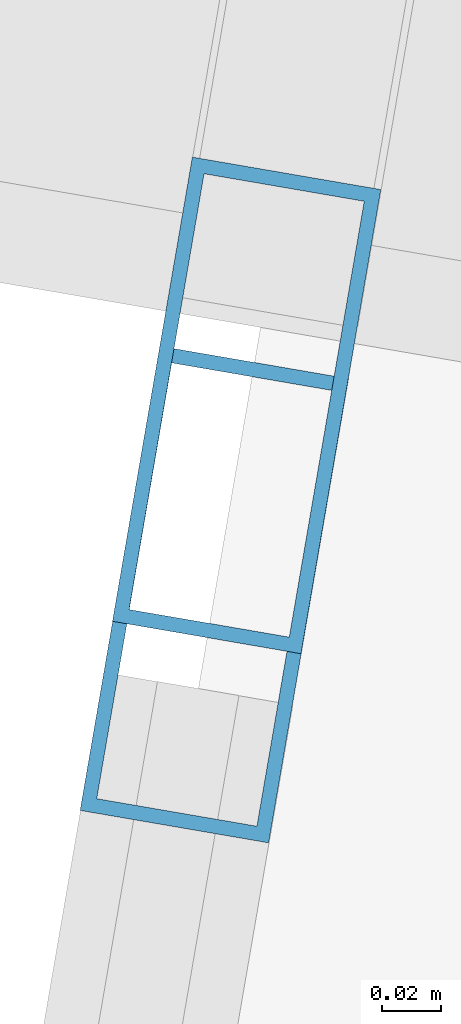
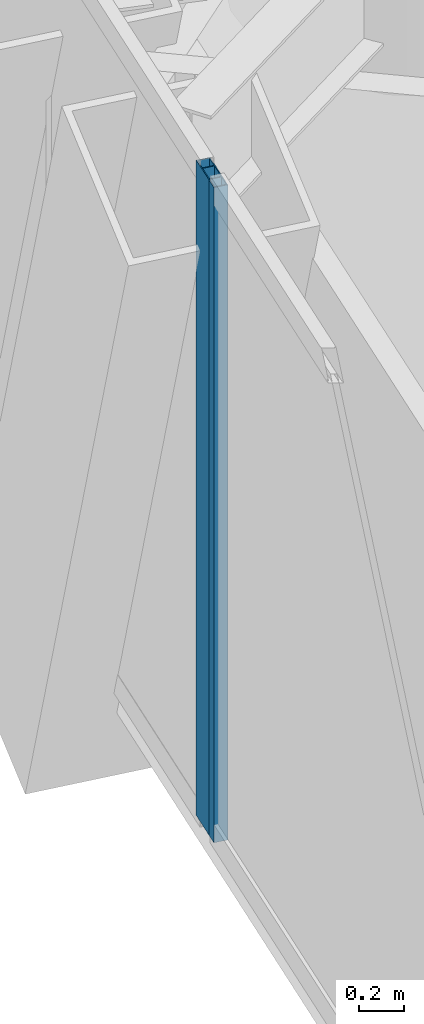
# One storey, part 4 of 21: 2 members, 2 elements without a shape of their own.
"""IFC4 building model written with IfcOpenShell, lengths in metres."""

import ifcopenshell
import ifcopenshell.guid

model = None  # the IFC model being written
_history = None  # IfcOwnerHistory: only IFC2X3 demands one
_inside = {}  # id of a spatial element -> (the spatial element, [elements in it])
_under = {}  # id of a project, library or spatial element -> (it, [spatial elements below it])
_declared = {}  # id of a project -> (the project, [libraries it declares])
_typed = {}  # id of a type object -> (the type object, [elements of that type])
_made_of = {}  # id of a material, layer set ... -> (it, [elements and type objects made of it])


def new_model(schema):
    """Start an empty IFC model of exactly this schema.

    Asked for "IFC4X3", IfcOpenShell would pick the latest addendum, in which some entities
    have other attributes; the version numbers below select the first issue.
    IFC2X3 requires an IfcOwnerHistory on every rooted entity: one is made here for all.
    """
    global model, _history
    if schema == "IFC4X3":
        model = ifcopenshell.file(schema_version=(4, 3, 0, 0))
    else:
        model = ifcopenshell.file(schema=schema)
    _inside.clear()
    _under.clear()
    _declared.clear()
    _typed.clear()
    _made_of.clear()
    _history = None
    if model.schema == "IFC2X3":
        org = make("IfcOrganization", Name="unknown")
        user = make(
            "IfcPersonAndOrganization",
            ThePerson=make("IfcPerson", FamilyName="unknown"),
            TheOrganization=org,
        )
        app = make(
            "IfcApplication",
            ApplicationDeveloper=org,
            Version="unknown",
            ApplicationFullName="unknown",
            ApplicationIdentifier="unknown",
        )
        _history = make(
            "IfcOwnerHistory",
            OwningUser=user,
            OwningApplication=app,
            ChangeAction="ADDED",
            CreationDate=0,
        )
    return model


def make(cls, **values):
    """One entity of the class cls with the attributes given. An attribute that is None is left unset."""
    return model.create_entity(
        cls, **{name: value for name, value in values.items() if value is not None}
    )


def rooted(cls, **values):
    """An entity with a GlobalId (a new one), such as an element, a storey or a relation."""
    return make(cls, GlobalId=ifcopenshell.guid.new(), OwnerHistory=_history, **values)


def si_unit(unit_type, name, prefix=None):
    """IfcSIUnit, for example si_unit("LENGTHUNIT", "METRE", prefix="MILLI")."""
    return make("IfcSIUnit", UnitType=unit_type, Prefix=prefix, Name=name)


def assignment(units):
    """IfcUnitAssignment: the units of a project."""
    return None if units is None else make("IfcUnitAssignment", Units=units)


def point(xyz):
    """IfcCartesianPoint."""
    return None if xyz is None else make("IfcCartesianPoint", Coordinates=xyz)


def direction(xyz):
    """IfcDirection."""
    return None if xyz is None else make("IfcDirection", DirectionRatios=xyz)


def frame(location, z_axis=None, x_axis=None):
    """IfcAxis2Placement3D, a coordinate frame: its origin and axes. An axis left out is left unset."""
    return make(
        "IfcAxis2Placement3D",
        Location=point(location),
        Axis=direction(z_axis),
        RefDirection=direction(x_axis),
    )


def frame_2d(location, x_axis=None):
    """IfcAxis2Placement2D, a coordinate frame in the plane: its origin and x axis."""
    return make(
        "IfcAxis2Placement2D", Location=point(location), RefDirection=direction(x_axis)
    )


def origin():
    """The frame at (0, 0, 0) with its axes left unset."""
    return frame((0.0, 0.0, 0.0))


def origin_2d():
    """The frame at (0, 0) in the plane with its x axis left unset."""
    return frame_2d((0.0, 0.0))


def place(relative_to, where):
    """IfcLocalPlacement: puts the frame where relative to a parent placement (None: the world)."""
    return make(
        "IfcLocalPlacement", PlacementRelTo=relative_to, RelativePlacement=where
    )


def context(
    kind, dimensions, precision=None, world=None, true_north=None, identifier=None
):
    """IfcGeometricRepresentationContext, for example the 3D "Model" context."""
    return make(
        "IfcGeometricRepresentationContext",
        ContextIdentifier=identifier,
        ContextType=kind,
        CoordinateSpaceDimension=dimensions,
        Precision=precision,
        WorldCoordinateSystem=world,
        TrueNorth=true_north,
    )


def subcontext(parent, identifier, kind, view, scale=None):
    """IfcGeometricRepresentationSubContext, for example "Body" below "Model"."""
    return make(
        "IfcGeometricRepresentationSubContext",
        ContextIdentifier=identifier,
        ContextType=kind,
        ParentContext=parent,
        TargetScale=scale,
        TargetView=view,
    )


def project(units=None, contexts=None):
    """IfcProject with its units and contexts."""
    return rooted(
        "IfcProject",
        Name="project",
        RepresentationContexts=contexts,
        UnitsInContext=assignment(units),
    )


def spatial(cls, under=None, at=None, **own):
    """A site, building, storey or space (cls), placed at a placement, below another one or the project."""
    s = rooted(cls, ObjectPlacement=at, **own)
    if under is not None:
        _under.setdefault(under.id(), (under, []))[1].append(s)
    return s


def profile(cls, at=None, kind="AREA", **sizes):
    """A parametric profile (cls). Its sizes go by their IFC names, for example OverallWidth=200.0."""
    return make(cls, ProfileType=kind, Position=at, **sizes)


def hollow_rectangle(**sizes):
    """IfcRectangleHollowProfileDef."""
    return profile("IfcRectangleHollowProfileDef", **sizes)


def extrude(swept, where, along, depth):
    """IfcExtrudedAreaSolid: the profile swept, set in the frame where, extruded along a direction by depth."""
    return make(
        "IfcExtrudedAreaSolid",
        SweptArea=swept,
        Position=where,
        ExtrudedDirection=direction(along),
        Depth=depth,
    )


def shape(context_of_items, identifier, shape_type, items):
    """IfcShapeRepresentation: the items that make up one representation, for example the "Body"."""
    return make(
        "IfcShapeRepresentation",
        ContextOfItems=context_of_items,
        RepresentationIdentifier=identifier,
        RepresentationType=shape_type,
        Items=items,
    )


def material(Name=None, Category=None):
    """IfcMaterial."""
    return make("IfcMaterial", Name=Name, Category=Category)


def layer(
    of_material, thickness, ventilated=None, Name=None, Category=None, Priority=None
):
    """IfcMaterialLayer: one layer of a wall or slab, of a material (None: an air gap)."""
    return make(
        "IfcMaterialLayer",
        Material=of_material,
        LayerThickness=thickness,
        IsVentilated=ventilated,
        Name=Name,
        Category=Category,
        Priority=Priority,
    )


def layer_set(layers, Name=None):
    """IfcMaterialLayerSet."""
    return make("IfcMaterialLayerSet", MaterialLayers=layers, LayerSetName=Name)


def material_profile(
    of_material, cross_section, Name=None, Category=None, Priority=None
):
    """IfcMaterialProfile: a cross section and its material."""
    return make(
        "IfcMaterialProfile",
        Name=Name,
        Material=of_material,
        Profile=cross_section,
        Priority=Priority,
        Category=Category,
    )


def profile_set(profiles, Name=None, composite=None):
    """IfcMaterialProfileSet."""
    return make(
        "IfcMaterialProfileSet",
        Name=Name,
        MaterialProfiles=profiles,
        CompositeProfile=composite,
    )


def made_of(thing, what):
    """Note that an element or type object is made of a material, layer set ...; save() writes the relation."""
    if what is not None:
        _made_of.setdefault(what.id(), (what, []))[1].append(thing)
    return thing


def type_object(cls, material=None, **own):
    """A type object (cls), such as IfcWallType, which elements share."""
    return made_of(rooted(cls, **own), material)


def element(
    cls,
    number,
    at=None,
    inside=None,
    cuts=None,
    type_object=None,
    material=None,
    context=None,
    identifier="Body",
    shape_type=None,
    held_by="IfcProductDefinitionShape",
    body=None,
    shapes=None,
    **own,
):
    """One element of the class cls, such as IfcWall. Its Tag is "e" and its number.

    at: its placement. inside: the storey or other place that contains it. cuts: it is an
    opening in that element (IfcRelVoidsElement). A single representation is given by context,
    identifier, shape_type and body (its items); several are given by shapes. held_by: the class
    of the entity that holds the representations. save() writes the other relations.
    """
    e = rooted(cls, Tag="e%d" % number, ObjectPlacement=at, **own)
    if body is not None:
        shapes = [shape(context, identifier, shape_type, body)]
    if shapes is not None:
        e.Representation = make(held_by, Representations=shapes)
    if inside is not None:
        _inside.setdefault(inside.id(), (inside, []))[1].append(e)
    if cuts is not None:
        rooted(
            "IfcRelVoidsElement", RelatingBuildingElement=cuts, RelatedOpeningElement=e
        )
    if type_object is not None:
        _typed.setdefault(type_object.id(), (type_object, []))[1].append(e)
    return made_of(e, material)


def aggregate(whole, parts):
    """IfcRelAggregates: a whole, such as a stair, and the parts it consists of."""
    return rooted("IfcRelAggregates", RelatingObject=whole, RelatedObjects=parts)


def save(model, path):
    """Write the relations noted so far, then the file.

    IfcRelAggregates (storeys below a building ...), IfcRelContainedInSpatialStructure (elements
    in a storey), IfcRelDefinesByType, IfcRelAssociatesMaterial and IfcRelDeclares: one each for
    every whole, place, type object, material and project.
    """
    for whole, parts in _under.values():
        aggregate(whole, parts)
    for where, things in _inside.values():
        rooted(
            "IfcRelContainedInSpatialStructure",
            RelatedElements=things,
            RelatingStructure=where,
        )
    for kind, things in _typed.values():
        rooted("IfcRelDefinesByType", RelatedObjects=things, RelatingType=kind)
    for what, things in _made_of.values():
        rooted("IfcRelAssociatesMaterial", RelatedObjects=things, RelatingMaterial=what)
    for by, libraries in _declared.values():
        rooted("IfcRelDeclares", RelatingContext=by, RelatedDefinitions=libraries)
    model.write(path)


model = new_model("IFC4")

# Units and contexts
model_context = context("Model", 3, precision=1e-05, world=origin(), true_north=direction((0.0, 1.0)))
body_context = subcontext(model_context, "Body", "Model", "MODEL_VIEW")
ifc_project = project(units=[si_unit("LENGTHUNIT", "METRE"), si_unit("AREAUNIT", "SQUARE_METRE"), si_unit("VOLUMEUNIT", "CUBIC_METRE"), si_unit("PLANEANGLEUNIT", "RADIAN"), si_unit("MASSUNIT", "GRAM", prefix="KILO")], contexts=[model_context])

# Site, building, storey
site_placement = place(None, origin())
site = spatial("IfcSite", under=ifc_project, at=site_placement, CompositionType="ELEMENT")
building_placement = place(site_placement, origin())
building = spatial("IfcBuilding", under=site, at=building_placement, Name="Qianvela Tower", CompositionType="ELEMENT")
storey_placement = place(building_placement, frame((0.0, 0.0, 108.89990234375)))
storey = spatial("IfcBuildingStorey", under=building, at=storey_placement, Name="L27", CompositionType="ELEMENT", Elevation=108.89990234375)

# Curtain wall, member
ifc_material_1 = material(Name="Anodised Architectural Aluminium and Insulated Spandrel Panel", Category="aluminium")
ifc_layer_1 = layer(ifc_material_1, 0.179931640625)
ifc_layer_set_1 = layer_set([ifc_layer_1], Name="Anodised Architectural Aluminium and Insulated Spandrel Panel")
curtain_wall_type_1 = type_object("IfcCurtainWallType", Name="CW-BRACEBAY", PredefinedType="USERDEFINED", material=ifc_layer_set_1)
curtain_wall_1_placement = place(storey_placement, origin())
curtain_wall_1 = element("IfcCurtainWall", 1, at=curtain_wall_1_placement, inside=storey, type_object=curtain_wall_type_1, Name="L27 CW-BRACEBAY Curtain Wall 04B", ObjectType="CURTAIN_WALL_SYSTEM", PredefinedType="USERDEFINED")
ifc_material_2 = material(Name="Anodised Architectural Aluminium 6063-T6", Category="aluminium")
ifc_material_profile_1 = material_profile(ifc_material_2, hollow_rectangle(XDim=0.06494140625, YDim=0.159912109375, WallThickness=0.0048828125, at=origin_2d()), Name="ALU-MULL-65x160")
ifc_profile_set_1 = profile_set([ifc_material_profile_1], Name="Anodised Architectural Aluminium 6063-T6")
member_type_1 = type_object("IfcMemberType", Name="CW-BRACEBAY-MULL", PredefinedType="MULLION", material=ifc_profile_set_1)
member_1_placement = place(storey_placement, frame((20.735107421875, 25.871826171875, 0.0), z_axis=(0.0, 0.0, 1.0), x_axis=(0.985527668132, -0.169514646408, 0.0)))
member_1 = element("IfcMember", 2, at=member_1_placement, type_object=member_type_1, Name="CW-9 mullion 2", PredefinedType="MULLION", context=body_context, shape_type="SweptSolid", body=[
    extrude(hollow_rectangle(XDim=0.06494140625, YDim=0.159912109375, WallThickness=0.0048828125, at=origin_2d()), origin(), (0.0, 0.0, 1.0), 3.52001953125),
])
aggregate(curtain_wall_1, [member_1])

ifc_material_3 = material(Name="Anodised Architectural Aluminium and Low-E Glass", Category="aluminium")
ifc_layer_2 = layer(ifc_material_3, 0.169921875)
ifc_layer_set_2 = layer_set([ifc_layer_2], Name="Anodised Architectural Aluminium and Low-E Glass")
curtain_wall_type_2 = type_object("IfcCurtainWallType", Name="CW-COLIV-Z34", PredefinedType="USERDEFINED", material=ifc_layer_set_2)
curtain_wall_2_placement = place(storey_placement, origin())
curtain_wall_2 = element("IfcCurtainWall", 3, at=curtain_wall_2_placement, inside=storey, type_object=curtain_wall_type_2, Name="L27 CW-COLIV-Z34 Curtain Wall 04C", ObjectType="CURTAIN_WALL_SYSTEM", PredefinedType="USERDEFINED")
ifc_material_4 = material(Name="Anodised Architectural Aluminium 6063-T6", Category="aluminium")
ifc_material_profile_2 = material_profile(ifc_material_4, hollow_rectangle(XDim=0.06494140625, YDim=0.159912109375, WallThickness=0.0048828125, at=origin_2d()), Name="ALU-MULL-65x160")
ifc_profile_set_2 = profile_set([ifc_material_profile_2], Name="Anodised Architectural Aluminium 6063-T6")
member_type_2 = type_object("IfcMemberType", Name="CW-COLIV-Z34-MULL", PredefinedType="MULLION", material=ifc_profile_set_2)
member_2_placement = place(storey_placement, frame((20.72412109375, 25.8076171875, 0.0), z_axis=(0.0, 0.0, 1.0), x_axis=(0.985526313898, -0.169522519491, 0.0)))
member_2 = element("IfcMember", 4, at=member_2_placement, type_object=member_type_2, Name="CW-4 mullion 1", PredefinedType="MULLION", context=body_context, shape_type="SweptSolid", body=[
    extrude(hollow_rectangle(XDim=0.06494140625, YDim=0.159912109375, WallThickness=0.0048828125, at=origin_2d()), origin(), (0.0, 0.0, 1.0), 3.52001953125),
])
aggregate(curtain_wall_2, [member_2])

save(model, "model.ifc")
